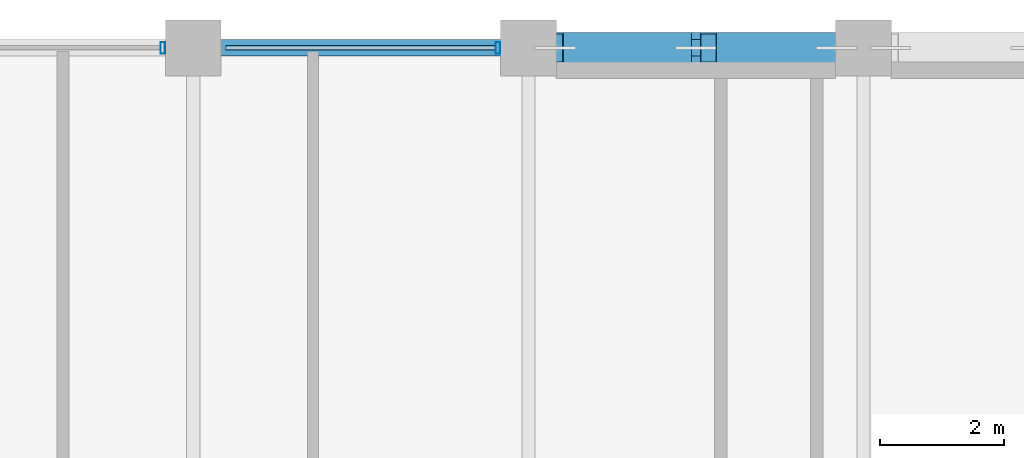
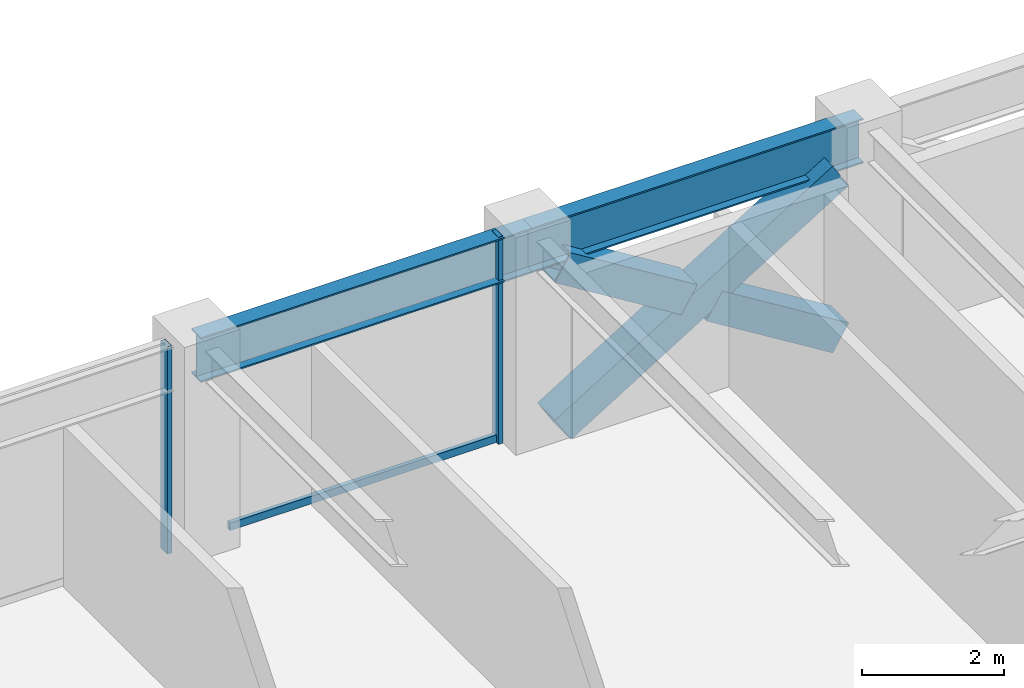
# One storey, part 17 of 28: 6 members, 2 beams, 1 element without a shape of its own.
"""IFC4 building model written with IfcOpenShell, lengths in metres."""

import ifcopenshell
import ifcopenshell.guid

model = None  # the IFC model being written
_history = None  # IfcOwnerHistory: only IFC2X3 demands one
_inside = {}  # id of a spatial element -> (the spatial element, [elements in it])
_under = {}  # id of a project, library or spatial element -> (it, [spatial elements below it])
_declared = {}  # id of a project -> (the project, [libraries it declares])
_typed = {}  # id of a type object -> (the type object, [elements of that type])
_made_of = {}  # id of a material, layer set ... -> (it, [elements and type objects made of it])


def new_model(schema):
    """Start an empty IFC model of exactly this schema.

    Asked for "IFC4X3", IfcOpenShell would pick the latest addendum, in which some entities
    have other attributes; the version numbers below select the first issue.
    IFC2X3 requires an IfcOwnerHistory on every rooted entity: one is made here for all.
    """
    global model, _history
    if schema == "IFC4X3":
        model = ifcopenshell.file(schema_version=(4, 3, 0, 0))
    else:
        model = ifcopenshell.file(schema=schema)
    _inside.clear()
    _under.clear()
    _declared.clear()
    _typed.clear()
    _made_of.clear()
    _history = None
    if model.schema == "IFC2X3":
        org = make("IfcOrganization", Name="unknown")
        user = make(
            "IfcPersonAndOrganization",
            ThePerson=make("IfcPerson", FamilyName="unknown"),
            TheOrganization=org,
        )
        app = make(
            "IfcApplication",
            ApplicationDeveloper=org,
            Version="unknown",
            ApplicationFullName="unknown",
            ApplicationIdentifier="unknown",
        )
        _history = make(
            "IfcOwnerHistory",
            OwningUser=user,
            OwningApplication=app,
            ChangeAction="ADDED",
            CreationDate=0,
        )
    return model


def make(cls, **values):
    """One entity of the class cls with the attributes given. An attribute that is None is left unset."""
    return model.create_entity(
        cls, **{name: value for name, value in values.items() if value is not None}
    )


def rooted(cls, **values):
    """An entity with a GlobalId (a new one), such as an element, a storey or a relation."""
    return make(cls, GlobalId=ifcopenshell.guid.new(), OwnerHistory=_history, **values)


def si_unit(unit_type, name, prefix=None):
    """IfcSIUnit, for example si_unit("LENGTHUNIT", "METRE", prefix="MILLI")."""
    return make("IfcSIUnit", UnitType=unit_type, Prefix=prefix, Name=name)


def assignment(units):
    """IfcUnitAssignment: the units of a project."""
    return None if units is None else make("IfcUnitAssignment", Units=units)


def point(xyz):
    """IfcCartesianPoint."""
    return None if xyz is None else make("IfcCartesianPoint", Coordinates=xyz)


def direction(xyz):
    """IfcDirection."""
    return None if xyz is None else make("IfcDirection", DirectionRatios=xyz)


def frame(location, z_axis=None, x_axis=None):
    """IfcAxis2Placement3D, a coordinate frame: its origin and axes. An axis left out is left unset."""
    return make(
        "IfcAxis2Placement3D",
        Location=point(location),
        Axis=direction(z_axis),
        RefDirection=direction(x_axis),
    )


def frame_2d(location, x_axis=None):
    """IfcAxis2Placement2D, a coordinate frame in the plane: its origin and x axis."""
    return make(
        "IfcAxis2Placement2D", Location=point(location), RefDirection=direction(x_axis)
    )


def origin():
    """The frame at (0, 0, 0) with its axes left unset."""
    return frame((0.0, 0.0, 0.0))


def origin_2d():
    """The frame at (0, 0) in the plane with its x axis left unset."""
    return frame_2d((0.0, 0.0))


def place(relative_to, where):
    """IfcLocalPlacement: puts the frame where relative to a parent placement (None: the world)."""
    return make(
        "IfcLocalPlacement", PlacementRelTo=relative_to, RelativePlacement=where
    )


def context(
    kind, dimensions, precision=None, world=None, true_north=None, identifier=None
):
    """IfcGeometricRepresentationContext, for example the 3D "Model" context."""
    return make(
        "IfcGeometricRepresentationContext",
        ContextIdentifier=identifier,
        ContextType=kind,
        CoordinateSpaceDimension=dimensions,
        Precision=precision,
        WorldCoordinateSystem=world,
        TrueNorth=true_north,
    )


def subcontext(parent, identifier, kind, view, scale=None):
    """IfcGeometricRepresentationSubContext, for example "Body" below "Model"."""
    return make(
        "IfcGeometricRepresentationSubContext",
        ContextIdentifier=identifier,
        ContextType=kind,
        ParentContext=parent,
        TargetScale=scale,
        TargetView=view,
    )


def project(units=None, contexts=None):
    """IfcProject with its units and contexts."""
    return rooted(
        "IfcProject",
        Name="project",
        RepresentationContexts=contexts,
        UnitsInContext=assignment(units),
    )


def spatial(cls, under=None, at=None, **own):
    """A site, building, storey or space (cls), placed at a placement, below another one or the project."""
    s = rooted(cls, ObjectPlacement=at, **own)
    if under is not None:
        _under.setdefault(under.id(), (under, []))[1].append(s)
    return s


def profile(cls, at=None, kind="AREA", **sizes):
    """A parametric profile (cls). Its sizes go by their IFC names, for example OverallWidth=200.0."""
    return make(cls, ProfileType=kind, Position=at, **sizes)


def hollow_rectangle(**sizes):
    """IfcRectangleHollowProfileDef."""
    return profile("IfcRectangleHollowProfileDef", **sizes)


def i_section(**sizes):
    """IfcIShapeProfileDef."""
    return profile("IfcIShapeProfileDef", **sizes)


def extrude(swept, where, along, depth):
    """IfcExtrudedAreaSolid: the profile swept, set in the frame where, extruded along a direction by depth."""
    return make(
        "IfcExtrudedAreaSolid",
        SweptArea=swept,
        Position=where,
        ExtrudedDirection=direction(along),
        Depth=depth,
    )


def shape(context_of_items, identifier, shape_type, items):
    """IfcShapeRepresentation: the items that make up one representation, for example the "Body"."""
    return make(
        "IfcShapeRepresentation",
        ContextOfItems=context_of_items,
        RepresentationIdentifier=identifier,
        RepresentationType=shape_type,
        Items=items,
    )


def material(Name=None, Category=None):
    """IfcMaterial."""
    return make("IfcMaterial", Name=Name, Category=Category)


def layer(
    of_material, thickness, ventilated=None, Name=None, Category=None, Priority=None
):
    """IfcMaterialLayer: one layer of a wall or slab, of a material (None: an air gap)."""
    return make(
        "IfcMaterialLayer",
        Material=of_material,
        LayerThickness=thickness,
        IsVentilated=ventilated,
        Name=Name,
        Category=Category,
        Priority=Priority,
    )


def layer_set(layers, Name=None):
    """IfcMaterialLayerSet."""
    return make("IfcMaterialLayerSet", MaterialLayers=layers, LayerSetName=Name)


def material_profile(
    of_material, cross_section, Name=None, Category=None, Priority=None
):
    """IfcMaterialProfile: a cross section and its material."""
    return make(
        "IfcMaterialProfile",
        Name=Name,
        Material=of_material,
        Profile=cross_section,
        Priority=Priority,
        Category=Category,
    )


def profile_set(profiles, Name=None, composite=None):
    """IfcMaterialProfileSet."""
    return make(
        "IfcMaterialProfileSet",
        Name=Name,
        MaterialProfiles=profiles,
        CompositeProfile=composite,
    )


def made_of(thing, what):
    """Note that an element or type object is made of a material, layer set ...; save() writes the relation."""
    if what is not None:
        _made_of.setdefault(what.id(), (what, []))[1].append(thing)
    return thing


def type_object(cls, material=None, **own):
    """A type object (cls), such as IfcWallType, which elements share."""
    return made_of(rooted(cls, **own), material)


def element(
    cls,
    number,
    at=None,
    inside=None,
    cuts=None,
    type_object=None,
    material=None,
    context=None,
    identifier="Body",
    shape_type=None,
    held_by="IfcProductDefinitionShape",
    body=None,
    shapes=None,
    **own,
):
    """One element of the class cls, such as IfcWall. Its Tag is "e" and its number.

    at: its placement. inside: the storey or other place that contains it. cuts: it is an
    opening in that element (IfcRelVoidsElement). A single representation is given by context,
    identifier, shape_type and body (its items); several are given by shapes. held_by: the class
    of the entity that holds the representations. save() writes the other relations.
    """
    e = rooted(cls, Tag="e%d" % number, ObjectPlacement=at, **own)
    if body is not None:
        shapes = [shape(context, identifier, shape_type, body)]
    if shapes is not None:
        e.Representation = make(held_by, Representations=shapes)
    if inside is not None:
        _inside.setdefault(inside.id(), (inside, []))[1].append(e)
    if cuts is not None:
        rooted(
            "IfcRelVoidsElement", RelatingBuildingElement=cuts, RelatedOpeningElement=e
        )
    if type_object is not None:
        _typed.setdefault(type_object.id(), (type_object, []))[1].append(e)
    return made_of(e, material)


def aggregate(whole, parts):
    """IfcRelAggregates: a whole, such as a stair, and the parts it consists of."""
    return rooted("IfcRelAggregates", RelatingObject=whole, RelatedObjects=parts)


def save(model, path):
    """Write the relations noted so far, then the file.

    IfcRelAggregates (storeys below a building ...), IfcRelContainedInSpatialStructure (elements
    in a storey), IfcRelDefinesByType, IfcRelAssociatesMaterial and IfcRelDeclares: one each for
    every whole, place, type object, material and project.
    """
    for whole, parts in _under.values():
        aggregate(whole, parts)
    for where, things in _inside.values():
        rooted(
            "IfcRelContainedInSpatialStructure",
            RelatedElements=things,
            RelatingStructure=where,
        )
    for kind, things in _typed.values():
        rooted("IfcRelDefinesByType", RelatedObjects=things, RelatingType=kind)
    for what, things in _made_of.values():
        rooted("IfcRelAssociatesMaterial", RelatedObjects=things, RelatingMaterial=what)
    for by, libraries in _declared.values():
        rooted("IfcRelDeclares", RelatingContext=by, RelatedDefinitions=libraries)
    model.write(path)


model = new_model("IFC4")

# Units and contexts
model_context = context("Model", 3, precision=1e-05, world=origin(), true_north=direction((0.0, 1.0)))
body_context = subcontext(model_context, "Body", "Model", "MODEL_VIEW")
ifc_project = project(units=[si_unit("LENGTHUNIT", "METRE"), si_unit("AREAUNIT", "SQUARE_METRE"), si_unit("VOLUMEUNIT", "CUBIC_METRE"), si_unit("PLANEANGLEUNIT", "RADIAN"), si_unit("MASSUNIT", "GRAM", prefix="KILO")], contexts=[model_context])

# Site, building, storey
site_placement = place(None, origin())
site = spatial("IfcSite", under=ifc_project, at=site_placement, CompositionType="ELEMENT")
building_placement = place(site_placement, origin())
building = spatial("IfcBuilding", under=site, at=building_placement, Name="Surkhivell Harbour Commons", CompositionType="ELEMENT")
storey_placement = place(building_placement, frame((0.0, 0.0, 178.5)))
storey = spatial("IfcBuildingStorey", under=building, at=storey_placement, Name="L46", CompositionType="ELEMENT", Elevation=178.5)

# Beams
ifc_material_1 = material(Name="Steel S355", Category="steel")
ifc_material_profile_1 = material_profile(ifc_material_1, i_section(OverallWidth=0.26806640625, OverallDepth=0.77001953125, WebThickness=0.015625, FlangeThickness=0.025390625, at=origin_2d()), Name="UB762x267x197")
ifc_profile_set_1 = profile_set([ifc_material_profile_1], Name="Steel S355")
beam_type = type_object("IfcBeamType", Name="BM-SPN-762", PredefinedType="SPANDREL", material=ifc_profile_set_1)
beam_1_placement = place(storey_placement, frame((-10.800048828125, 25.89990234375, 3.18505859375), z_axis=(1.0, 0.0, 0.0), x_axis=(0.0, 1.0, 0.0)))
element("IfcBeam", 1, at=beam_1_placement, inside=storey, type_object=beam_type, Name="L46 Tube Spandrel (-10.8,25.9)", PredefinedType="SPANDREL", context=body_context, shape_type="SweptSolid", body=[
    extrude(i_section(OverallWidth=0.26806640625, OverallDepth=0.77001953125, WebThickness=0.015625, FlangeThickness=0.025390625, at=origin_2d()), origin(), (0.0, 0.0, 1.0), 5.400146484375),
])
beam_2_placement = place(storey_placement, frame((-5.39990234375, 25.89990234375, 3.18505859375), z_axis=(1.0, 0.0, 0.0), x_axis=(0.0, 1.0, 0.0)))
element("IfcBeam", 2, at=beam_2_placement, inside=storey, type_object=beam_type, Name="L46 Tube Spandrel (-5.4,25.9)", PredefinedType="SPANDREL", context=body_context, shape_type="SweptSolid", body=[
    extrude(i_section(OverallWidth=0.26806640625, OverallDepth=0.77001953125, WebThickness=0.015625, FlangeThickness=0.025390625, at=origin_2d()), origin(), (0.0, 0.0, 1.0), 5.39990234375),
])

# Curtain wall, members
ifc_material_2 = material(Name="Anodised pale-metal aluminium and insulated glazing", Category="aluminium")
ifc_layer = layer(ifc_material_2, 0.18994140625)
ifc_layer_set = layer_set([ifc_layer], Name="Anodised pale-metal aluminium and insulated glazing")
curtain_wall_type = type_object("IfcCurtainWallType", Name="CW-SYS-Z3", PredefinedType="NOTDEFINED", material=ifc_layer_set)
curtain_wall_placement = place(storey_placement, origin())
curtain_wall = element("IfcCurtainWall", 3, at=curtain_wall_placement, inside=storey, type_object=curtain_wall_type, Name="L46 Curtain Wall CW-L46-E07S2", PredefinedType="NOTDEFINED")
ifc_material_3 = material(Name="Anodised pale-metal aluminium alloy 6063-T6", Category="aluminium")
ifc_material_profile_2 = material_profile(ifc_material_3, hollow_rectangle(XDim=0.074951171875, YDim=0.18994140625, WallThickness=0.00390625, at=origin_2d()), Name="ALU-MULL-75x190")
ifc_profile_set_2 = profile_set([ifc_material_profile_2], Name="Anodised pale-metal aluminium alloy 6063-T6")
member_type_1 = type_object("IfcMemberType", Name="CWM-190", PredefinedType="MULLION", material=ifc_profile_set_2)
member_1_placement = place(storey_placement, frame((-5.889404296875, 25.89990234375, 0.0), z_axis=(0.0, 0.0, 1.0), x_axis=(-1.0, 0.0, 0.0)))
member_1 = element("IfcMember", 4, at=member_1_placement, type_object=member_type_1, Name="CW-Z3 mullion 1", PredefinedType="MULLION", context=body_context, shape_type="SweptSolid", body=[
    extrude(hollow_rectangle(XDim=0.074951171875, YDim=0.18994140625, WallThickness=0.00390625, at=origin_2d()), origin(), (0.0, 0.0, 1.0), 3.570068359375),
])
member_2_placement = place(storey_placement, frame((-11.28955078125, 25.89990234375, 0.0), z_axis=(0.0, 0.0, 1.0), x_axis=(-1.0, 0.0, 0.0)))
member_2 = element("IfcMember", 5, at=member_2_placement, type_object=member_type_1, Name="CW-Z3 mullion 2", PredefinedType="MULLION", context=body_context, shape_type="SweptSolid", body=[
    extrude(hollow_rectangle(XDim=0.074951171875, YDim=0.18994140625, WallThickness=0.00390625, at=origin_2d()), origin(), (0.0, 0.0, 1.0), 3.570068359375),
])
ifc_material_4 = material(Name="Champagne anodised aluminium alloy 6063-T6", Category="aluminium")
ifc_material_profile_3 = material_profile(ifc_material_4, hollow_rectangle(XDim=0.070068359375, YDim=0.1298828125, WallThickness=0.00341796875, at=origin_2d()), Name="ALU-TRAN-70x130")
ifc_profile_set_3 = profile_set([ifc_material_profile_3], Name="Champagne anodised aluminium alloy 6063-T6")
member_type_2 = type_object("IfcMemberType", Name="CWT-130", PredefinedType="USERDEFINED", material=ifc_profile_set_3)
member_3_placement = place(storey_placement, frame((-5.927001953125, 25.89990234375, 0.06494140625), z_axis=(-1.0, 0.0, 0.0), x_axis=(0.0, -1.0, 0.0)))
member_3 = element("IfcMember", 6, at=member_3_placement, type_object=member_type_2, Name="CW-Z3 transom 1.1", ObjectType="TRANSOM", PredefinedType="USERDEFINED", context=body_context, shape_type="SweptSolid", body=[
    extrude(hollow_rectangle(XDim=0.070068359375, YDim=0.1298828125, WallThickness=0.00341796875, at=origin_2d()), origin(), (0.0, 0.0, 1.0), 4.345947265625),
])
aggregate(curtain_wall, [member_1, member_3, member_2])

# Members
ifc_material_5 = material(Name="Steel S460", Category="steel")
ifc_material_profile_4 = material_profile(ifc_material_5, hollow_rectangle(XDim=0.5, YDim=0.5, WallThickness=0.02490234375, at=origin_2d()), Name="SHS500x500x25")
ifc_profile_set_4 = profile_set([ifc_material_profile_4], Name="Steel S460")
member_type_3 = type_object("IfcMemberType", Name="MEM-BRC-SHS500", PredefinedType="BRACE", material=ifc_profile_set_4)
member_4_placement = place(storey_placement, frame((-4.965087890625, 25.89990234375, 0.008056640625), z_axis=(0.850971032488, 0.0, 0.525212625387), x_axis=(0.0, 1.0, 0.0)))
element("IfcMember", 7, at=member_4_placement, inside=storey, type_object=member_type_3, Name="L46 Perimeter Mega-Brace MB- 01", PredefinedType="BRACE", context=body_context, shape_type="SweptSolid", body=[
    extrude(hollow_rectangle(XDim=0.5, YDim=0.5, WallThickness=0.02490234375, at=origin_2d()), origin(), (0.0, 0.0, 1.0), 5.323486328125),
])
for number, where, z_axis, x_axis, name in (
    (8, (-0.43505859375, 25.89990234375, 0.008056640625), (-0.8510034189, 0.0, 0.525160147974), (0.0, -1.0, 0.0), "L46 Perimeter Mega-Brace MB- 02"),
    (9, (-2.904296875, 25.89990234375, 1.531982421875), (-0.850958361341, 0.0, 0.525233155146), (0.0, -1.0, 0.0), "L46 Perimeter Mega-Brace MB- 03"),
):
    element("IfcMember", number, at=place(storey_placement, frame(where, z_axis=z_axis, x_axis=x_axis)), inside=storey, type_object=member_type_3, Name=name, PredefinedType="BRACE", context=body_context, shape_type="SweptSolid", body=[
        extrude(hollow_rectangle(XDim=0.5, YDim=0.5, WallThickness=0.02490234375, at=origin_2d()), origin(), (0.0, 0.0, 1.0), 2.421630859375),
    ])

save(model, "model.ifc")
